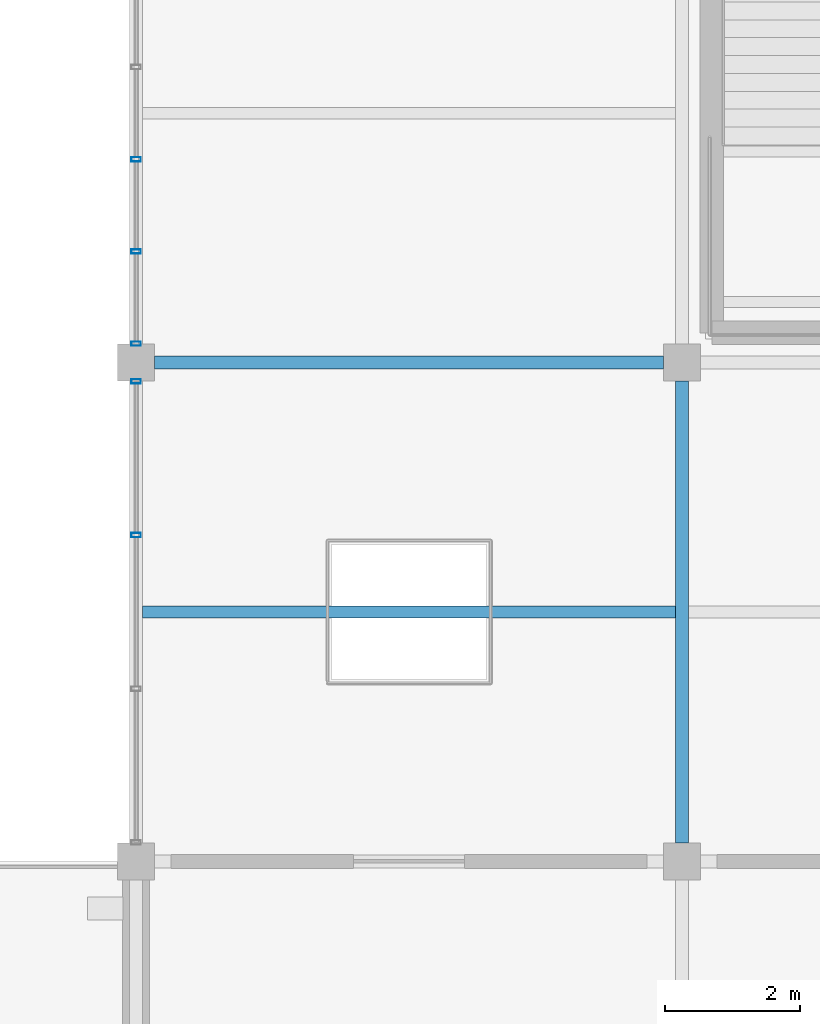
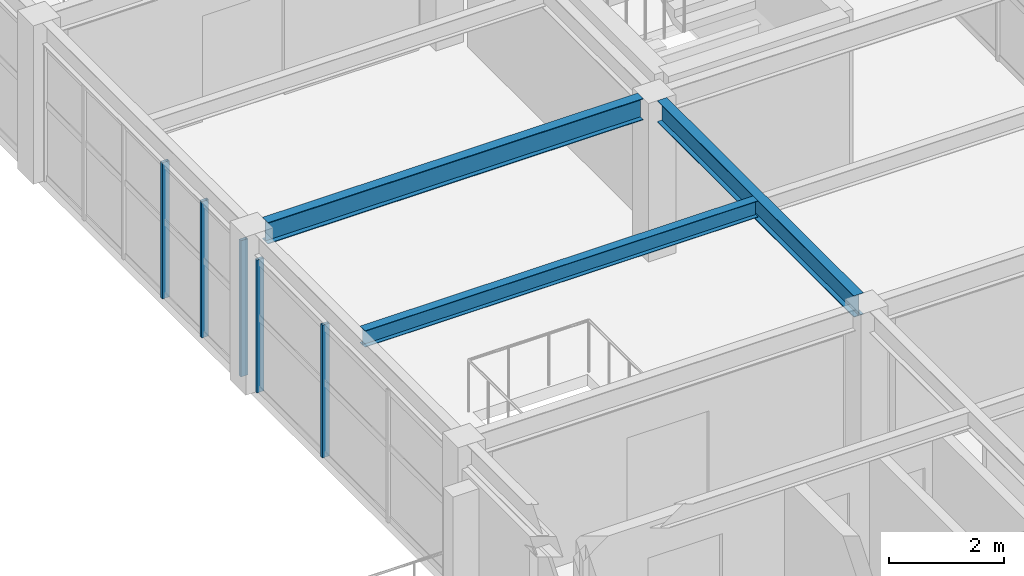
# One storey, part 33 of 121: 5 members, 3 beams, 2 elements without a shape of their own.
"""IFC4 building model written with IfcOpenShell, lengths in metres."""

from ifc_helpers import new_model, si_unit, direction, frame, origin, origin_2d, place, context, subcontext, project, spatial, hollow_rectangle, i_section, extrude, material, material_profile, profile_set, type_object, element, aggregate, save


model = new_model("IFC4")

# Units and contexts
model_context = context("Model", 3, precision=1e-05, world=origin(), true_north=direction((0.0, 1.0)))
body_context = subcontext(model_context, "Body", "Model", "MODEL_VIEW")
ifc_project = project(units=[si_unit("LENGTHUNIT", "METRE"), si_unit("AREAUNIT", "SQUARE_METRE"), si_unit("VOLUMEUNIT", "CUBIC_METRE"), si_unit("PLANEANGLEUNIT", "RADIAN"), si_unit("MASSUNIT", "GRAM", prefix="KILO")], contexts=[model_context])

# Site, building, storey
site_placement = place(None, origin())
site = spatial("IfcSite", under=ifc_project, at=site_placement, CompositionType="ELEMENT")
building_placement = place(site_placement, origin())
building = spatial("IfcBuilding", under=site, at=building_placement, Name="Cimatlan Art Gallery", CompositionType="ELEMENT")
storey_placement = place(building_placement, frame((0.0, 0.0, 10.199951171875)))
storey = spatial("IfcBuildingStorey", under=building, at=storey_placement, Name="L02", CompositionType="ELEMENT", Elevation=10.199951171875)

# Beams
ifc_material_1 = material(Name="Steel ASTM A992 Grade 50", Category="steel")
ifc_material_profile_1 = material_profile(ifc_material_1, i_section(OverallWidth=0.1708984375, OverallDepth=0.35107421875, WebThickness=0.0068359375, FlangeThickness=0.009765625, at=origin_2d()), Name="W14X30")
ifc_profile_set_1 = profile_set([ifc_material_profile_1], Name="Steel ASTM A992 Grade 50")
beam_type_1 = type_object("IfcBeamType", Name="BM-STL-W14X30", PredefinedType="JOIST", material=ifc_profile_set_1)
beam_1_placement = place(storey_placement, frame((115.49560546875, 42.39990234375, 3.194580078125), z_axis=(1.0, 0.0, 0.0), x_axis=(0.0, 1.0, 0.0)))
element("IfcBeam", 1, at=beam_1_placement, inside=storey, type_object=beam_type_1, Name="JST-L02-14-05", PredefinedType="JOIST", context=body_context, shape_type="SweptSolid", body=[
    extrude(i_section(OverallWidth=0.1708984375, OverallDepth=0.35107421875, WebThickness=0.0068359375, FlangeThickness=0.009765625, at=origin_2d()), origin(), (0.0, 0.0, 1.0), 7.908935546875),
])
ifc_material_profile_2 = material_profile(ifc_material_1, i_section(OverallWidth=0.19091796875, OverallDepth=0.45703125, WebThickness=0.009033203125, FlangeThickness=0.014404296875, at=origin_2d()), Name="W18X50")
ifc_profile_set_2 = profile_set([ifc_material_profile_2], Name="Steel ASTM A992 Grade 50")
beam_type_2 = type_object("IfcBeamType", Name="BM-STL-W18X50", PredefinedType="BEAM", material=ifc_profile_set_2)
beam_2_placement = place(storey_placement, frame((123.5, 38.97509765625, 3.1416015625), z_axis=(0.0, 1.0, 0.0), x_axis=(-1.0, 0.0, 0.0)))
element("IfcBeam", 2, at=beam_2_placement, inside=storey, type_object=beam_type_2, Name="BM-Y-L02-15-05", PredefinedType="BEAM", context=body_context, shape_type="SweptSolid", body=[
    extrude(i_section(OverallWidth=0.19091796875, OverallDepth=0.45703125, WebThickness=0.009033203125, FlangeThickness=0.014404296875, at=origin_2d()), origin(), (0.0, 0.0, 1.0), 6.849853515625),
])
beam_3_placement = place(storey_placement, frame((115.675048828125, 46.10009765625, 3.1416015625), z_axis=(1.0, 0.0, 0.0), x_axis=(0.0, 1.0, 0.0)))
element("IfcBeam", 3, at=beam_3_placement, inside=storey, type_object=beam_type_2, Name="BM-X-L02-14-06", PredefinedType="BEAM", context=body_context, shape_type="SweptSolid", body=[
    extrude(i_section(OverallWidth=0.19091796875, OverallDepth=0.45703125, WebThickness=0.009033203125, FlangeThickness=0.014404296875, at=origin_2d()), origin(), (0.0, 0.0, 1.0), 7.550048828125),
])

# Curtain wall, members
ifc_material_2 = material(Name="Anodised bronze unitised curtain wall")
curtain_wall_type_1 = type_object("IfcCurtainWallType", Name="CW-V-06842X02823-B3", PredefinedType="NOTDEFINED", material=ifc_material_2)
curtain_wall_1_placement = place(storey_placement, origin())
curtain_wall_1 = element("IfcCurtainWall", 4, at=curtain_wall_1_placement, inside=storey, type_object=curtain_wall_type_1, Name="CW-L02-14-05-W", PredefinedType="NOTDEFINED")
ifc_material_3 = material(Name="Anodised bronze aluminium 6063-T6", Category="aluminium")
ifc_material_profile_3 = material_profile(ifc_material_3, hollow_rectangle(XDim=0.06494140625, YDim=0.139892578125, WallThickness=0.00390625, at=origin_2d()), Name="ALU65X140X4")
ifc_profile_set_3 = profile_set([ifc_material_profile_3], Name="Anodised bronze aluminium 6063-T6")
member_type = type_object("IfcMemberType", Name="CW-MUL-140", PredefinedType="MULLION", material=ifc_profile_set_3)
member_1_placement = place(storey_placement, frame((115.39990234375, 43.540283203125, 0.0), z_axis=(0.0, 0.0, 1.0), x_axis=(0.0, 1.0, 0.0)))
member_1 = element("IfcMember", 5, at=member_1_placement, type_object=member_type, Name="CW-L02-14-05-W-M3", PredefinedType="MULLION", context=body_context, shape_type="SweptSolid", body=[
    extrude(hollow_rectangle(XDim=0.06494140625, YDim=0.139892578125, WallThickness=0.00390625, at=origin_2d()), origin(), (0.0, 0.0, 1.0), 2.822998046875),
])
member_2_placement = place(storey_placement, frame((115.39990234375, 45.821044921875, 0.0), z_axis=(0.0, 0.0, 1.0), x_axis=(0.0, 1.0, 0.0)))
member_2 = element("IfcMember", 6, at=member_2_placement, type_object=member_type, Name="CW-L02-14-05-W-M4", PredefinedType="MULLION", context=body_context, shape_type="SweptSolid", body=[
    extrude(hollow_rectangle(XDim=0.06494140625, YDim=0.139892578125, WallThickness=0.00390625, at=origin_2d()), origin(), (0.0, 0.0, 1.0), 2.822998046875),
])
aggregate(curtain_wall_1, [member_1, member_2])

curtain_wall_type_2 = type_object("IfcCurtainWallType", Name="CW-V-06842X02898-B5", PredefinedType="NOTDEFINED", material=ifc_material_2)
curtain_wall_2_placement = place(storey_placement, origin())
curtain_wall_2 = element("IfcCurtainWall", 7, at=curtain_wall_2_placement, inside=storey, type_object=curtain_wall_type_2, Name="CW-L02-14-06-W", PredefinedType="NOTDEFINED")
member_3_placement = place(storey_placement, frame((115.39990234375, 46.37890625, 0.0), z_axis=(0.0, 0.0, 1.0), x_axis=(0.0, 1.0, 0.0)))
member_3 = element("IfcMember", 8, at=member_3_placement, type_object=member_type, Name="CW-L02-14-06-W-M1", PredefinedType="MULLION", context=body_context, shape_type="SweptSolid", body=[
    extrude(hollow_rectangle(XDim=0.06494140625, YDim=0.139892578125, WallThickness=0.00390625, at=origin_2d()), origin(), (0.0, 0.0, 1.0), 2.89794921875),
])
member_4_placement = place(storey_placement, frame((115.39990234375, 47.747314453125, 0.0), z_axis=(0.0, 0.0, 1.0), x_axis=(0.0, 1.0, 0.0)))
member_4 = element("IfcMember", 9, at=member_4_placement, type_object=member_type, Name="CW-L02-14-06-W-M2", PredefinedType="MULLION", context=body_context, shape_type="SweptSolid", body=[
    extrude(hollow_rectangle(XDim=0.06494140625, YDim=0.139892578125, WallThickness=0.00390625, at=origin_2d()), origin(), (0.0, 0.0, 1.0), 2.89794921875),
])
member_5_placement = place(storey_placement, frame((115.39990234375, 49.11572265625, 0.0), z_axis=(0.0, 0.0, 1.0), x_axis=(0.0, 1.0, 0.0)))
member_5 = element("IfcMember", 10, at=member_5_placement, type_object=member_type, Name="CW-L02-14-06-W-M3", PredefinedType="MULLION", context=body_context, shape_type="SweptSolid", body=[
    extrude(hollow_rectangle(XDim=0.06494140625, YDim=0.139892578125, WallThickness=0.00390625, at=origin_2d()), origin(), (0.0, 0.0, 1.0), 2.89794921875),
])
aggregate(curtain_wall_2, [member_3, member_4, member_5])

save(model, "model.ifc")
